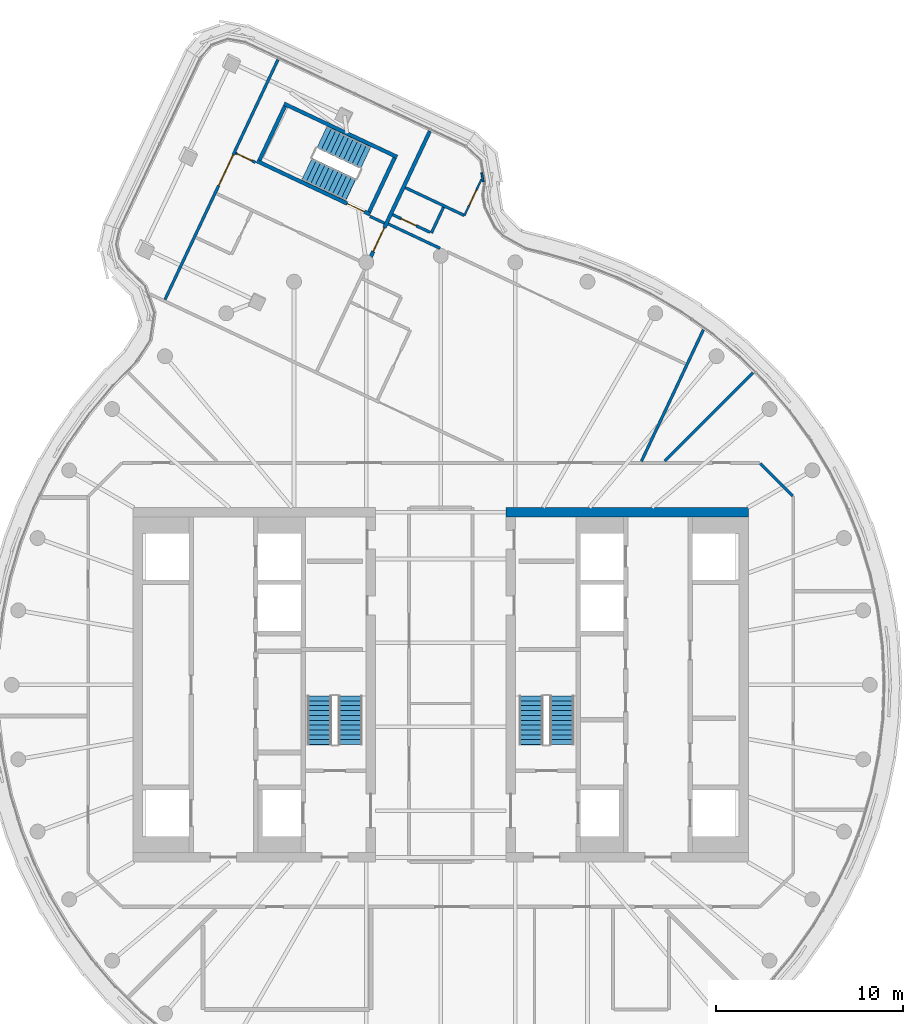
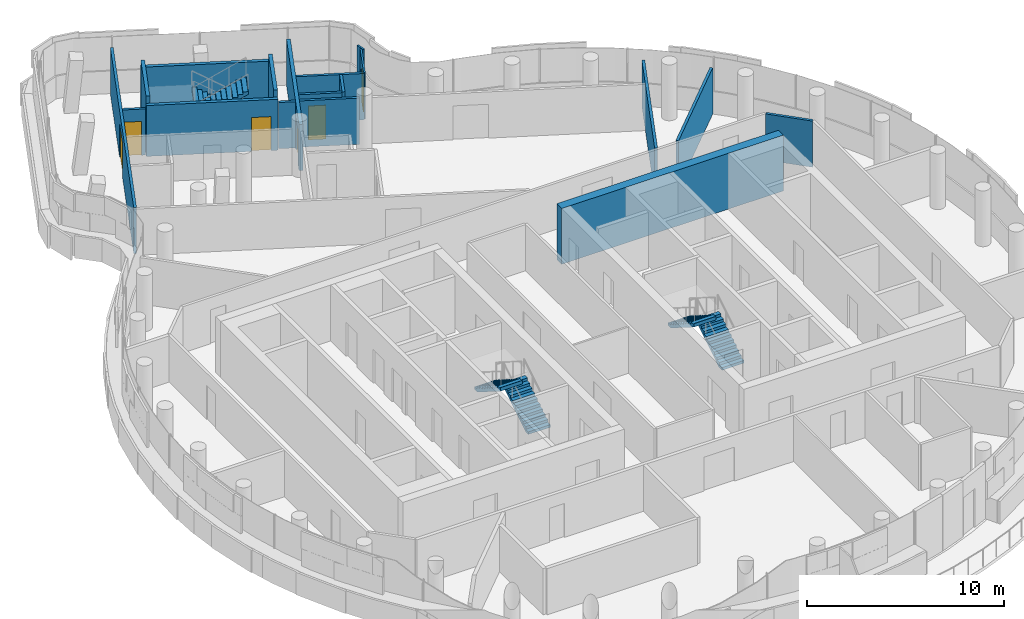
# One storey, part 16 of 21: 18 walls, 6 doors, 6 stair flights, 6 openings, 3 elements without a shape of their own.
"""IFC4 building model written with IfcOpenShell, lengths in metres."""

from ifc_helpers import new_model, si_unit, direction, frame, frame_2d, origin, place, context, subcontext, project, spatial, polyline, rectangle, outline, extrude, material, layer, layer_set, type_object, element, fill, aggregate, save


model = new_model("IFC4")

# Units and contexts
model_context = context("Model", 3, precision=1e-05, world=origin(), true_north=direction((0.0, 1.0)))
body_context = subcontext(model_context, "Body", "Model", "MODEL_VIEW")
ifc_project = project(units=[si_unit("LENGTHUNIT", "METRE"), si_unit("AREAUNIT", "SQUARE_METRE"), si_unit("VOLUMEUNIT", "CUBIC_METRE"), si_unit("PLANEANGLEUNIT", "RADIAN"), si_unit("MASSUNIT", "GRAM", prefix="KILO")], contexts=[model_context])

# Site, building, storey
site_placement = place(None, origin())
site = spatial("IfcSite", under=ifc_project, at=site_placement, CompositionType="ELEMENT")
building_placement = place(site_placement, origin())
building = spatial("IfcBuilding", under=site, at=building_placement, Name="Tamarind Cross Interchange Tower", CompositionType="ELEMENT")
storey_placement = place(building_placement, frame((0.0, 0.0, 267.60009765625)))
storey = spatial("IfcBuildingStorey", under=building, at=storey_placement, Name="L68", CompositionType="ELEMENT", Elevation=267.60009765625)

# Wall
ifc_material_1 = material(Name="Concrete C50", Category="concrete")
ifc_layer_1 = layer(ifc_material_1, 0.5)
ifc_layer_set_1 = layer_set([ifc_layer_1], Name="Concrete C50")
wall_type_1 = type_object("IfcWallType", Name="Core wall 500 mm Concrete C50", PredefinedType="SHEAR", material=ifc_layer_set_1)
wall_1_placement = place(storey_placement, frame((16.5, 9.25, 0.0), z_axis=(0.0, 0.0, 1.0), x_axis=(-1.0, 0.0, 0.0)))
element("IfcWall", 1, at=wall_1_placement, inside=storey, type_object=wall_type_1, Name="Core wall CWL-L68-E-NE", PredefinedType="SHEAR", context=body_context, shape_type="SweptSolid", body=[
    extrude(rectangle(XDim=13.0, YDim=0.5, at=frame_2d((6.5, 0.0))), origin(), (0.0, 0.0, 1.0), 3.4599609375),
])

# Wall, opening, door
ifc_material_2 = material(Name="Gypsum board partition on steel studs", Category="steel")
ifc_layer_2 = layer(ifc_material_2, 0.10009765625)
ifc_layer_set_2 = layer_set([ifc_layer_2], Name="Gypsum board partition on steel studs")
wall_type_2 = type_object("IfcWallType", Name="Partition 100 mm EI 90", PredefinedType="PARTITIONING", material=ifc_layer_set_2)
wall_2_placement = place(storey_placement, frame((1.2685546875, 25.16064453125, 0.0), z_axis=(0.0, 0.0, 1.0), x_axis=(0.426264406973, 0.904598615601, 0.0)))
wall_2 = element("IfcWall", 2, at=wall_2_placement, inside=storey, type_object=wall_type_2, Name="Partition L68-036", PredefinedType="PARTITIONING", context=body_context, shape_type="SweptSolid", body=[
    extrude(rectangle(XDim=2.137939453125, YDim=0.10009765625, at=frame_2d((1.06884765625, 0.0))), origin(), (0.0, 0.0, 1.0), 2.864013671875),
])
opening_1_placement = place(wall_2_placement, frame((0.60009765625, 0.0, 0.0)))
opening_1 = element("IfcOpeningElement", 3, at=opening_1_placement, cuts=wall_2, Name="Opening D20", PredefinedType="OPENING", context=body_context, shape_type="SweptSolid", body=[
    extrude(rectangle(XDim=0.89990234375, YDim=2.10009765625, at=frame_2d((0.449951171875, 1.050048828125))), frame((0.0, 0.06005859375, 0.0), z_axis=(0.0, -1.0, 0.0), x_axis=(1.0, 0.0, 0.0)), (0.0, 0.0, 1.0), 0.1201171875),
])
ifc_material_3 = material(Name="Fire-resisting door set")
door_type_1 = type_object("IfcDoorType", Name="Interior door 900 x 2100 FD60S", OperationType="SINGLE_SWING_LEFT", PredefinedType="DOOR", material=ifc_material_3)
door_1_placement = place(opening_1_placement, origin())
door_1 = element("IfcDoor", 4, at=door_1_placement, inside=storey, type_object=door_type_1, Name="Door D20", OperationType="SINGLE_SWING_RIGHT", OverallHeight=2.10009765625, OverallWidth=0.89990234375, PredefinedType="DOOR", context=body_context, shape_type="SweptSolid", body=[
    extrude(rectangle(XDim=0.89990234375, YDim=2.10009765625, at=frame_2d((0.449951171875, 1.050048828125))), frame((0.0, 0.02490234375, 0.0), z_axis=(0.0, -1.0, 0.0), x_axis=(1.0, 0.0, 0.0)), (0.0, 0.0, 1.0), 0.050048828125),
])
fill(opening_1, door_1)

# Walls
wall_3_placement = place(storey_placement, frame((2.279541015625, 26.96630859375, 0.0), z_axis=(0.0, 0.0, 1.0), x_axis=(-0.177209741272, 0.984173108553, 0.0)))
element("IfcWall", 5, at=wall_3_placement, inside=storey, type_object=wall_type_2, Name="Partition L68-049", PredefinedType="PARTITIONING", context=body_context, shape_type="SweptSolid", body=[
    extrude(rectangle(XDim=0.5, YDim=0.10009765625, at=frame_2d((0.25, 0.0))), origin(), (0.0, 0.0, 1.0), 2.864013671875),
])
ifc_layer_3 = layer(ifc_material_2, 0.14990234375)
ifc_layer_set_3 = layer_set([ifc_layer_3], Name="Gypsum board partition on steel studs")
wall_type_3 = type_object("IfcWallType", Name="Partition 150 mm EI 120", PredefinedType="PARTITIONING", material=ifc_layer_set_3)
wall_4_placement = place(storey_placement, frame((17.12841796875, 11.87158203125, 0.0), z_axis=(0.0, 0.0, 1.0), x_axis=(0.707106781187, -0.707106781187, 0.0)))
element("IfcWall", 6, at=wall_4_placement, inside=storey, type_object=wall_type_3, Name="Partition L68-004", PredefinedType="PARTITIONING", context=body_context, shape_type="SweptSolid", body=[
    extrude(rectangle(XDim=2.465087890625, YDim=0.14990234375, at=frame_2d((1.232421875, 0.0))), origin(), (0.0, 0.0, 1.0), 2.864013671875),
])

# Wall, opening, door
wall_5_placement = place(storey_placement, frame((-11.0, 28.508056640625, 0.0), z_axis=(0.0, 0.0, 1.0), x_axis=(0.904650505973, -0.42615427024, 0.0)))
wall_5 = element("IfcWall", 7, at=wall_5_placement, inside=storey, type_object=wall_type_3, Name="Partition L68-008", PredefinedType="PARTITIONING", context=body_context, shape_type="SweptSolid", body=[
    extrude(rectangle(XDim=1.184814453125, YDim=0.14990234375, at=frame_2d((0.59228515625, 0.0))), origin(), (0.0, 0.0, 1.0), 2.864013671875),
])
opening_2_placement = place(wall_5_placement, frame((0.074951171875, 0.0, 0.0)))
opening_2 = element("IfcOpeningElement", 8, at=opening_2_placement, cuts=wall_5, Name="Opening D03", PredefinedType="OPENING", context=body_context, shape_type="SweptSolid", body=[
    extrude(rectangle(XDim=0.89990234375, YDim=2.10009765625, at=frame_2d((0.449951171875, 1.050048828125))), frame((0.0, 0.0849609375, 0.0), z_axis=(0.0, -1.0, 0.0), x_axis=(1.0, 0.0, 0.0)), (0.0, 0.0, 1.0), 0.169921875),
])
door_2_placement = place(opening_2_placement, origin())
door_2 = element("IfcDoor", 9, at=door_2_placement, inside=storey, type_object=door_type_1, Name="Door D03", OperationType="SINGLE_SWING_RIGHT", OverallHeight=2.10009765625, OverallWidth=0.89990234375, PredefinedType="DOOR", context=body_context, shape_type="SweptSolid", body=[
    extrude(rectangle(XDim=0.89990234375, YDim=2.10009765625, at=frame_2d((0.449951171875, 1.050048828125))), frame((0.0, 0.02490234375, 0.0), z_axis=(0.0, -1.0, 0.0), x_axis=(1.0, 0.0, 0.0)), (0.0, 0.0, 1.0), 0.050048828125),
])
fill(opening_2, door_2)

# Walls
wall_6_placement = place(storey_placement, frame((-3.79541015625, 25.114501953125, 0.0), z_axis=(0.0, 0.0, 1.0), x_axis=(0.904676452244, -0.426099186523, 0.0)))
element("IfcWall", 10, at=wall_6_placement, inside=storey, type_object=wall_type_3, Name="Partition L68-009", PredefinedType="PARTITIONING", context=body_context, shape_type="SweptSolid", body=[
    extrude(rectangle(XDim=0.85595703125, YDim=0.14990234375, at=frame_2d((0.427978515625, 0.0))), origin(), (0.0, 0.0, 1.0), 2.864013671875),
])
wall_7_placement = place(storey_placement, frame((-2.814453125, 24.70751953125, 0.0), z_axis=(0.0, 0.0, 1.0), x_axis=(0.904636518546, -0.42618396182, 0.0)))
element("IfcWall", 11, at=wall_7_placement, inside=storey, type_object=wall_type_3, Name="Partition L68-012", PredefinedType="PARTITIONING", context=body_context, shape_type="SweptSolid", body=[
    extrude(rectangle(XDim=3.06884765625, YDim=0.14990234375, at=frame_2d((1.534423828125, 0.0))), origin(), (0.0, 0.0, 1.0), 2.864013671875),
])

# Wall, opening, door
wall_8_placement = place(storey_placement, frame((-2.58056640625, 25.205322265625, 0.0), z_axis=(0.0, 0.0, 1.0), x_axis=(0.904689116071, -0.426072298164, 0.0)))
wall_8 = element("IfcWall", 12, at=wall_8_placement, inside=storey, type_object=wall_type_3, Name="Partition L68-014", PredefinedType="PARTITIONING", context=body_context, shape_type="SweptSolid", body=[
    extrude(rectangle(XDim=2.220947265625, YDim=0.14990234375, at=frame_2d((1.1103515625, 0.0))), origin(), (0.0, 0.0, 1.0), 2.864013671875),
])
opening_3_placement = place(wall_8_placement, frame((0.5, 0.0, 0.0)))
opening_3 = element("IfcOpeningElement", 13, at=opening_3_placement, cuts=wall_8, Name="Opening D06", PredefinedType="OPENING", context=body_context, shape_type="SweptSolid", body=[
    extrude(rectangle(XDim=0.89990234375, YDim=2.10009765625, at=frame_2d((0.449951171875, 1.050048828125))), frame((0.0, 0.0849609375, 0.0), z_axis=(0.0, -1.0, 0.0), x_axis=(1.0, 0.0, 0.0)), (0.0, 0.0, 1.0), 0.169921875),
])
door_3_placement = place(opening_3_placement, origin())
door_3 = element("IfcDoor", 14, at=door_3_placement, inside=storey, type_object=door_type_1, Name="Door D06", OperationType="SINGLE_SWING_RIGHT", OverallHeight=2.10009765625, OverallWidth=0.89990234375, PredefinedType="DOOR", context=body_context, shape_type="SweptSolid", body=[
    extrude(rectangle(XDim=0.89990234375, YDim=2.10009765625, at=frame_2d((0.449951171875, 1.050048828125))), frame((0.0, 0.02490234375, 0.0), z_axis=(0.0, -1.0, 0.0), x_axis=(1.0, 0.0, 0.0)), (0.0, 0.0, 1.0), 0.050048828125),
])
fill(opening_3, door_3)

# Walls
wall_9_placement = place(storey_placement, frame((-1.8984375, 26.65234375, 0.0), z_axis=(0.0, 0.0, 1.0), x_axis=(0.904592510731, -0.426277362205, 0.0)))
element("IfcWall", 15, at=wall_9_placement, inside=storey, type_object=wall_type_3, Name="Partition L68-015", PredefinedType="PARTITIONING", context=body_context, shape_type="SweptSolid", body=[
    extrude(rectangle(XDim=3.5, YDim=0.14990234375, at=frame_2d((1.75, 0.0))), origin(), (0.0, 0.0, 1.0), 2.864013671875),
])
wall_10_placement = place(storey_placement, frame((12.009521484375, 12.009521484375, 0.0), z_axis=(0.0, 0.0, 1.0), x_axis=(0.707106781187, 0.707106781187, 0.0)))
element("IfcWall", 16, at=wall_10_placement, inside=storey, type_object=wall_type_3, Name="Partition L68-029", PredefinedType="PARTITIONING", context=body_context, shape_type="SweptSolid", body=[
    extrude(rectangle(XDim=6.690673828125, YDim=0.14990234375, at=frame_2d((3.34521484375, 0.0))), origin(), (0.0, 0.0, 1.0), 2.864013671875),
])

# Wall, opening, door
wall_11_placement = place(storey_placement, frame((-14.783935546875, 20.6513671875, 0.0), z_axis=(0.0, 0.0, 1.0), x_axis=(0.426039298085, 0.90470465705, 0.0)))
wall_11 = element("IfcWall", 17, at=wall_11_placement, inside=storey, type_object=wall_type_3, Name="Partition L68-031", PredefinedType="PARTITIONING", context=body_context, shape_type="SweptSolid", body=[
    extrude(rectangle(XDim=14.218994140625, YDim=0.14990234375, at=frame_2d((7.109375, 0.0))), origin(), (0.0, 0.0, 1.0), 2.864013671875),
])
opening_4_placement = place(wall_11_placement, frame((6.77001953125, 0.0, 0.0)))
opening_4 = element("IfcOpeningElement", 18, at=opening_4_placement, cuts=wall_11, Name="Opening D16", PredefinedType="OPENING", context=body_context, shape_type="SweptSolid", body=[
    extrude(rectangle(XDim=1.800048828125, YDim=2.10009765625, at=frame_2d((0.89990234375, 1.050048828125))), frame((0.0, 0.0849609375, 0.0), z_axis=(0.0, -1.0, 0.0), x_axis=(1.0, 0.0, 0.0)), (0.0, 0.0, 1.0), 0.169921875),
])
door_type_2 = type_object("IfcDoorType", Name="Interior door 1800 x 2100 FD60S", OperationType="DOUBLE_DOOR_SINGLE_SWING", PredefinedType="DOOR", material=ifc_material_3)
door_4_placement = place(opening_4_placement, origin())
door_4 = element("IfcDoor", 19, at=door_4_placement, inside=storey, type_object=door_type_2, Name="Door D16", OperationType="DOUBLE_DOOR_SINGLE_SWING", OverallHeight=2.10009765625, OverallWidth=1.800048828125, PredefinedType="DOOR", context=body_context, shape_type="SweptSolid", body=[
    extrude(rectangle(XDim=1.800048828125, YDim=2.10009765625, at=frame_2d((0.89990234375, 1.050048828125))), frame((0.0, 0.02490234375, 0.0), z_axis=(0.0, -1.0, 0.0), x_axis=(1.0, 0.0, 0.0)), (0.0, 0.0, 1.0), 0.050048828125),
])
fill(opening_4, door_4)

# Walls
wall_12_placement = place(storey_placement, frame((-0.500244140625, 24.2255859375, 0.0), z_axis=(0.0, 0.0, 1.0), x_axis=(0.42594360631, 0.904749713591, 0.0)))
element("IfcWall", 20, at=wall_12_placement, inside=storey, type_object=wall_type_3, Name="Partition L68-038", PredefinedType="PARTITIONING", context=body_context, shape_type="SweptSolid", body=[
    extrude(rectangle(XDim=1.524169921875, YDim=0.14990234375, at=frame_2d((0.76220703125, 0.0))), origin(), (0.0, 0.0, 1.0), 2.864013671875),
])
wall_13_placement = place(storey_placement, frame((10.760498046875, 11.990478515625, 0.0), z_axis=(0.0, 0.0, 1.0), x_axis=(0.426145612642, 0.904654584262, 0.0)))
element("IfcWall", 21, at=wall_13_placement, inside=storey, type_object=wall_type_3, Name="Partition L68-039", PredefinedType="PARTITIONING", context=body_context, shape_type="SweptSolid", body=[
    extrude(rectangle(XDim=7.791015625, YDim=0.14990234375, at=frame_2d((3.8955078125, 0.0))), origin(), (0.0, 0.0, 1.0), 2.864013671875),
])

# Wall, opening, door
ifc_layer_4 = layer(ifc_material_2, 0.199951171875)
ifc_layer_set_4 = layer_set([ifc_layer_4], Name="Gypsum board partition on steel studs")
wall_type_4 = type_object("IfcWallType", Name="Partition 200 mm EI 180", PredefinedType="PARTITIONING", material=ifc_layer_set_4)
wall_14_placement = place(storey_placement, frame((-3.816162109375, 22.81689453125, 0.0), z_axis=(0.0, 0.0, 1.0), x_axis=(0.426029500763, 0.904709270694, 0.0)))
wall_14 = element("IfcWall", 22, at=wall_14_placement, inside=storey, type_object=wall_type_4, Name="Partition L68-034", PredefinedType="PARTITIONING", context=body_context, shape_type="SweptSolid", body=[
    extrude(rectangle(XDim=7.586181640625, YDim=0.199951171875, at=frame_2d((3.79296875, 0.0))), origin(), (0.0, 0.0, 1.0), 2.864013671875),
])
opening_5_placement = place(wall_14_placement, frame((0.46240234375, 0.0, 0.0)))
opening_5 = element("IfcOpeningElement", 23, at=opening_5_placement, cuts=wall_14, Name="Opening D18", PredefinedType="OPENING", context=body_context, shape_type="SweptSolid", body=[
    extrude(rectangle(XDim=1.39990234375, YDim=2.10009765625, at=frame_2d((0.699951171875, 1.050048828125))), frame((0.0, 0.10986328125, 0.0), z_axis=(0.0, -1.0, 0.0), x_axis=(1.0, 0.0, 0.0)), (0.0, 0.0, 1.0), 0.219970703125),
])
door_type_3 = type_object("IfcDoorType", Name="Interior door 1400 x 2100 FD120S", OperationType="DOUBLE_DOOR_SINGLE_SWING", PredefinedType="DOOR", material=ifc_material_3)
door_5_placement = place(opening_5_placement, frame((1.39990234375, 0.0, 0.0), z_axis=(0.0, 0.0, 1.0), x_axis=(-1.0, 0.0, 0.0)))
door_5 = element("IfcDoor", 24, at=door_5_placement, inside=storey, type_object=door_type_3, Name="Door D18", OperationType="DOUBLE_DOOR_SINGLE_SWING", OverallHeight=2.10009765625, OverallWidth=1.39990234375, PredefinedType="DOOR", context=body_context, shape_type="SweptSolid", body=[
    extrude(rectangle(XDim=1.39990234375, YDim=2.10009765625, at=frame_2d((0.699951171875, 1.050048828125))), frame((0.0, 0.02490234375, 0.0), z_axis=(0.0, -1.0, 0.0), x_axis=(1.0, 0.0, 0.0)), (0.0, 0.0, 1.0), 0.050048828125),
])
fill(opening_5, door_5)

ifc_material_4 = material(Name="Concrete C40", Category="concrete")
ifc_layer_5 = layer(ifc_material_4, 0.199951171875)
ifc_layer_set_5 = layer_set([ifc_layer_5], Name="Concrete C40")
wall_type_5 = type_object("IfcWallType", Name="Stair shaft wall 200 mm Concrete C40", PredefinedType="SHEAR", material=ifc_layer_set_5)
wall_15_placement = place(storey_placement, frame((-3.788330078125, 25.221435546875, -0.14013671875), z_axis=(0.0, 0.0, 1.0), x_axis=(-0.904654301063, 0.426146213837, 0.0)))
wall_15 = element("IfcWall", 25, at=wall_15_placement, inside=storey, type_object=wall_type_5, Name="Core wall CWL-L68-ST4-H", PredefinedType="SHEAR", context=body_context, shape_type="SweptSolid", body=[
    extrude(rectangle(XDim=6.7001953125, YDim=0.199951171875, at=frame_2d((3.35009765625, 0.0))), origin(), (0.0, 0.0, 1.0), 3.154052734375),
])
opening_6_placement = place(wall_15_placement, frame((0.35009765625, 0.0, 0.0)))
opening_6 = element("IfcOpeningElement", 26, at=opening_6_placement, cuts=wall_15, Name="Opening ST4L68", PredefinedType="OPENING", context=body_context, shape_type="SweptSolid", body=[
    extrude(rectangle(XDim=1.0, YDim=2.10009765625, at=frame_2d((0.5, 1.050048828125))), frame((0.0, 0.10986328125, 0.0), z_axis=(0.0, -1.0, 0.0), x_axis=(1.0, 0.0, 0.0)), (0.0, 0.0, 1.0), 0.219970703125),
])
ifc_material_5 = material(Name="Steel, fire-resisting", Category="steel")
door_type_4 = type_object("IfcDoorType", Name="Core fire door 1000 x 2100 FD90", OperationType="SINGLE_SWING_LEFT", PredefinedType="DOOR", material=ifc_material_5)
door_6_placement = place(opening_6_placement, origin())
door_6 = element("IfcDoor", 27, at=door_6_placement, inside=storey, type_object=door_type_4, Name="L68 stair door ST4", OperationType="SINGLE_SWING_LEFT", OverallHeight=2.10009765625, OverallWidth=1.0, PredefinedType="DOOR", context=body_context, shape_type="SweptSolid", body=[
    extrude(rectangle(XDim=1.0, YDim=2.10009765625, at=frame_2d((0.5, 1.050048828125))), frame((0.0, 0.02490234375, 0.0), z_axis=(0.0, -1.0, 0.0), x_axis=(1.0, 0.0, 0.0)), (0.0, 0.0, 1.0), 0.050048828125),
])
fill(opening_6, door_6)

# Walls
wall_16_placement = place(storey_placement, frame((-2.339599609375, 28.29736328125, -0.14013671875), z_axis=(0.0, 0.0, 1.0), x_axis=(-0.904668348311, 0.426116392039, 0.0)))
element("IfcWall", 28, at=wall_16_placement, inside=storey, type_object=wall_type_5, Name="Core wall CWL-L68-ST4-C", PredefinedType="SHEAR", context=body_context, shape_type="SweptSolid", body=[
    extrude(rectangle(XDim=6.699951171875, YDim=0.199951171875, at=frame_2d((3.35009765625, 0.0))), origin(), (0.0, 0.0, 1.0), 3.154052734375),
])
wall_17_placement = place(storey_placement, frame((-2.47265625, 28.24951171875, -0.14013671875), z_axis=(0.0, 0.0, 1.0), x_axis=(-0.426094619589, -0.904678603238, 0.0)))
element("IfcWall", 29, at=wall_17_placement, inside=storey, type_object=wall_type_5, Name="Core wall CWL-L68-ST4-CE", PredefinedType="SHEAR", context=body_context, shape_type="SweptSolid", body=[
    extrude(rectangle(XDim=3.199951171875, YDim=0.199951171875, at=frame_2d((1.60009765625, 0.0))), origin(), (0.0, 0.0, 1.0), 3.60009765625),
])
wall_18_placement = place(storey_placement, frame((0.0, 0.0, -0.14013671875)))
element("IfcWall", 30, at=wall_18_placement, inside=storey, type_object=wall_type_5, Name="Core wall CWL-L68-ST4-CF", PredefinedType="SHEAR", context=body_context, shape_type="SweptSolid", body=[
    extrude(outline(polyline([(-8.262451171875, 30.976806640625), (-8.443359375, 31.06201171875), (-9.806884765625, 28.1669921875), (-9.626220703125, 28.081787109375), (-8.262451171875, 30.976806640625)])), origin(), (0.0, 0.0, 1.0), 3.60009765625),
])

# Stair, stair flights
ifc_material_6 = material(Name="Exit stair")
stair_type = type_object("IfcStairType", Name="Exit stair", PredefinedType="HALF_TURN_STAIR", material=ifc_material_6)
stair_1_placement = place(storey_placement, origin())
stair_1 = element("IfcStair", 31, at=stair_1_placement, inside=storey, type_object=stair_type, Name="L68 exit stair ST1", PredefinedType="HALF_TURN_STAIR")
ifc_material_7 = material(Name="Exit stair flight")
stair_flight_type = type_object("IfcStairFlightType", Name="Exit stair flight", PredefinedType="STRAIGHT", material=ifc_material_7)
stair_flight_1_placement = place(storey_placement, frame((-4.85009765625, -3.199951171875, 0.0), z_axis=(0.0, 0.0, 1.0), x_axis=(0.0, 1.0, 0.0)))
stair_flight_1 = element("IfcStairFlight", 32, at=stair_flight_1_placement, type_object=stair_flight_type, Name="ST1 flight 1", NumberOfRisers=11, NumberOfTreads=10, PredefinedType="STRAIGHT", RiserHeight=0.163636364, TreadLength=0.26, context=body_context, shape_type="SweptSolid", body=[
    extrude(outline(polyline([(0.0, 0.0), (0.0, 0.16357421875), (0.260009765625, 0.16357421875), (0.260009765625, 0.327392578125), (0.52001953125, 0.327392578125), (0.52001953125, 0.490966796875), (0.780029296875, 0.490966796875), (0.780029296875, 0.654541015625), (1.0400390625, 0.654541015625), (1.0400390625, 0.818115234375), (1.300048828125, 0.818115234375), (1.300048828125, 0.98193359375), (1.56005859375, 0.98193359375), (1.56005859375, 1.1455078125), (1.820068359375, 1.1455078125), (1.820068359375, 1.30908203125), (2.080078125, 1.30908203125), (2.080078125, 1.47265625), (2.340087890625, 1.47265625), (2.340087890625, 1.636474609375), (2.60009765625, 1.636474609375), (2.60009765625, 1.800048828125), (2.60009765625, 1.459228515625), (0.281494140625, 0.0), (0.0, 0.0)])), frame((0.0, 0.64990234375, 0.0), z_axis=(0.0, -1.0, 0.0), x_axis=(1.0, 0.0, 0.0)), (0.0, 0.0, 1.0), 1.300048828125),
])
stair_flight_2_placement = place(storey_placement, frame((-6.5, -0.60009765625, 1.7998046875), z_axis=(0.0, 0.0, 1.0), x_axis=(0.0, -1.0, 0.0)))
stair_flight_2 = element("IfcStairFlight", 33, at=stair_flight_2_placement, type_object=stair_flight_type, Name="ST1 flight 2", NumberOfRisers=11, NumberOfTreads=10, PredefinedType="STRAIGHT", RiserHeight=0.163636364, TreadLength=0.26, context=body_context, shape_type="SweptSolid", body=[
    extrude(outline(polyline([(0.0, 0.0), (0.0, 0.16357421875), (0.260009765625, 0.16357421875), (0.260009765625, 0.327392578125), (0.52001953125, 0.327392578125), (0.52001953125, 0.490966796875), (0.780029296875, 0.490966796875), (0.780029296875, 0.654541015625), (1.0400390625, 0.654541015625), (1.0400390625, 0.818115234375), (1.300048828125, 0.818115234375), (1.300048828125, 0.98193359375), (1.56005859375, 0.98193359375), (1.56005859375, 1.1455078125), (1.820068359375, 1.1455078125), (1.820068359375, 1.30908203125), (2.080078125, 1.30908203125), (2.080078125, 1.47265625), (2.340087890625, 1.47265625), (2.340087890625, 1.636474609375), (2.60009765625, 1.636474609375), (2.60009765625, 1.679931640625), (2.612060546875, 1.679931640625), (2.612060546875, 1.466796875), (0.281494140625, 0.0), (0.0, 0.0)])), frame((0.0, 0.64990234375, 0.0), z_axis=(0.0, -1.0, 0.0), x_axis=(1.0, 0.0, 0.0)), (0.0, 0.0, 1.0), 1.300048828125),
])
aggregate(stair_1, [stair_flight_1, stair_flight_2])

stair_2_placement = place(storey_placement, origin())
stair_2 = element("IfcStair", 34, at=stair_2_placement, inside=storey, type_object=stair_type, Name="L68 exit stair ST2", PredefinedType="HALF_TURN_STAIR")
stair_flight_3_placement = place(storey_placement, frame((6.5, -3.199951171875, 0.0), z_axis=(0.0, 0.0, 1.0), x_axis=(0.0, 1.0, 0.0)))
stair_flight_3 = element("IfcStairFlight", 35, at=stair_flight_3_placement, type_object=stair_flight_type, Name="ST2 flight 1", NumberOfRisers=11, NumberOfTreads=10, PredefinedType="STRAIGHT", RiserHeight=0.163636364, TreadLength=0.26, context=body_context, shape_type="SweptSolid", body=[
    extrude(outline(polyline([(0.0, 0.0), (0.0, 0.16357421875), (0.260009765625, 0.16357421875), (0.260009765625, 0.327392578125), (0.52001953125, 0.327392578125), (0.52001953125, 0.490966796875), (0.780029296875, 0.490966796875), (0.780029296875, 0.654541015625), (1.0400390625, 0.654541015625), (1.0400390625, 0.818115234375), (1.300048828125, 0.818115234375), (1.300048828125, 0.98193359375), (1.56005859375, 0.98193359375), (1.56005859375, 1.1455078125), (1.820068359375, 1.1455078125), (1.820068359375, 1.30908203125), (2.080078125, 1.30908203125), (2.080078125, 1.47265625), (2.340087890625, 1.47265625), (2.340087890625, 1.636474609375), (2.60009765625, 1.636474609375), (2.60009765625, 1.800048828125), (2.60009765625, 1.459228515625), (0.281494140625, 0.0), (0.0, 0.0)])), frame((0.0, 0.64990234375, 0.0), z_axis=(0.0, -1.0, 0.0), x_axis=(1.0, 0.0, 0.0)), (0.0, 0.0, 1.0), 1.300048828125),
])
stair_flight_4_placement = place(storey_placement, frame((4.85009765625, -0.60009765625, 1.7998046875), z_axis=(0.0, 0.0, 1.0), x_axis=(0.0, -1.0, 0.0)))
stair_flight_4 = element("IfcStairFlight", 36, at=stair_flight_4_placement, type_object=stair_flight_type, Name="ST2 flight 2", NumberOfRisers=11, NumberOfTreads=10, PredefinedType="STRAIGHT", RiserHeight=0.163636364, TreadLength=0.26, context=body_context, shape_type="SweptSolid", body=[
    extrude(outline(polyline([(0.0, 0.0), (0.0, 0.16357421875), (0.260009765625, 0.16357421875), (0.260009765625, 0.327392578125), (0.52001953125, 0.327392578125), (0.52001953125, 0.490966796875), (0.780029296875, 0.490966796875), (0.780029296875, 0.654541015625), (1.0400390625, 0.654541015625), (1.0400390625, 0.818115234375), (1.300048828125, 0.818115234375), (1.300048828125, 0.98193359375), (1.56005859375, 0.98193359375), (1.56005859375, 1.1455078125), (1.820068359375, 1.1455078125), (1.820068359375, 1.30908203125), (2.080078125, 1.30908203125), (2.080078125, 1.47265625), (2.340087890625, 1.47265625), (2.340087890625, 1.636474609375), (2.60009765625, 1.636474609375), (2.60009765625, 1.679931640625), (2.612060546875, 1.679931640625), (2.612060546875, 1.466796875), (0.281494140625, 0.0), (0.0, 0.0)])), frame((0.0, 0.64990234375, 0.0), z_axis=(0.0, -1.0, 0.0), x_axis=(1.0, 0.0, 0.0)), (0.0, 0.0, 1.0), 1.300048828125),
])
aggregate(stair_2, [stair_flight_3, stair_flight_4])

stair_3_placement = place(storey_placement, origin())
stair_3 = element("IfcStair", 37, at=stair_3_placement, inside=storey, type_object=stair_type, Name="L68 exit stair ST4", PredefinedType="HALF_TURN_STAIR")
stair_flight_5_placement = place(storey_placement, frame((-4.01611328125, 28.258056640625, 0.0), z_axis=(0.0, 0.0, 1.0), x_axis=(-0.904660523309, 0.426133004548, 0.0)))
stair_flight_5 = element("IfcStairFlight", 38, at=stair_flight_5_placement, type_object=stair_flight_type, Name="ST4 flight 1", NumberOfRisers=11, NumberOfTreads=10, PredefinedType="STRAIGHT", RiserHeight=0.163636364, TreadLength=0.26, context=body_context, shape_type="SweptSolid", body=[
    extrude(outline(polyline([(0.0, 0.0), (0.0, 0.16357421875), (0.260009765625, 0.16357421875), (0.260009765625, 0.327392578125), (0.52001953125, 0.327392578125), (0.52001953125, 0.490966796875), (0.780029296875, 0.490966796875), (0.780029296875, 0.654541015625), (1.0400390625, 0.654541015625), (1.0400390625, 0.818115234375), (1.300048828125, 0.818115234375), (1.300048828125, 0.98193359375), (1.56005859375, 0.98193359375), (1.56005859375, 1.1455078125), (1.820068359375, 1.1455078125), (1.820068359375, 1.30908203125), (2.080078125, 1.30908203125), (2.080078125, 1.47265625), (2.340087890625, 1.47265625), (2.340087890625, 1.636474609375), (2.60009765625, 1.636474609375), (2.60009765625, 1.800048828125), (2.60009765625, 1.459228515625), (0.281494140625, 0.0), (0.0, 0.0)])), frame((0.0, 0.64990234375, 0.0), z_axis=(0.0, -1.0, 0.0), x_axis=(1.0, 0.0, 0.0)), (0.0, 0.0, 1.0), 1.300048828125),
])
stair_flight_6_placement = place(storey_placement, frame((-7.177978515625, 27.647216796875, 1.7998046875), z_axis=(0.0, 0.0, 1.0), x_axis=(0.904660523309, -0.426133004548, 0.0)))
stair_flight_6 = element("IfcStairFlight", 39, at=stair_flight_6_placement, type_object=stair_flight_type, Name="ST4 flight 2", NumberOfRisers=11, NumberOfTreads=10, PredefinedType="STRAIGHT", RiserHeight=0.163636364, TreadLength=0.26, context=body_context, shape_type="SweptSolid", body=[
    extrude(outline(polyline([(0.0, 0.0), (0.0, 0.16357421875), (0.260009765625, 0.16357421875), (0.260009765625, 0.327392578125), (0.52001953125, 0.327392578125), (0.52001953125, 0.490966796875), (0.780029296875, 0.490966796875), (0.780029296875, 0.654541015625), (1.0400390625, 0.654541015625), (1.0400390625, 0.818115234375), (1.300048828125, 0.818115234375), (1.300048828125, 0.98193359375), (1.56005859375, 0.98193359375), (1.56005859375, 1.1455078125), (1.820068359375, 1.1455078125), (1.820068359375, 1.30908203125), (2.080078125, 1.30908203125), (2.080078125, 1.47265625), (2.340087890625, 1.47265625), (2.340087890625, 1.636474609375), (2.60009765625, 1.636474609375), (2.60009765625, 1.679931640625), (2.612060546875, 1.679931640625), (2.612060546875, 1.466796875), (0.281494140625, 0.0), (0.0, 0.0)])), frame((0.0, 0.64990234375, 0.0), z_axis=(0.0, -1.0, 0.0), x_axis=(1.0, 0.0, 0.0)), (0.0, 0.0, 1.0), 1.300048828125),
])
aggregate(stair_3, [stair_flight_5, stair_flight_6])

save(model, "model.ifc")
